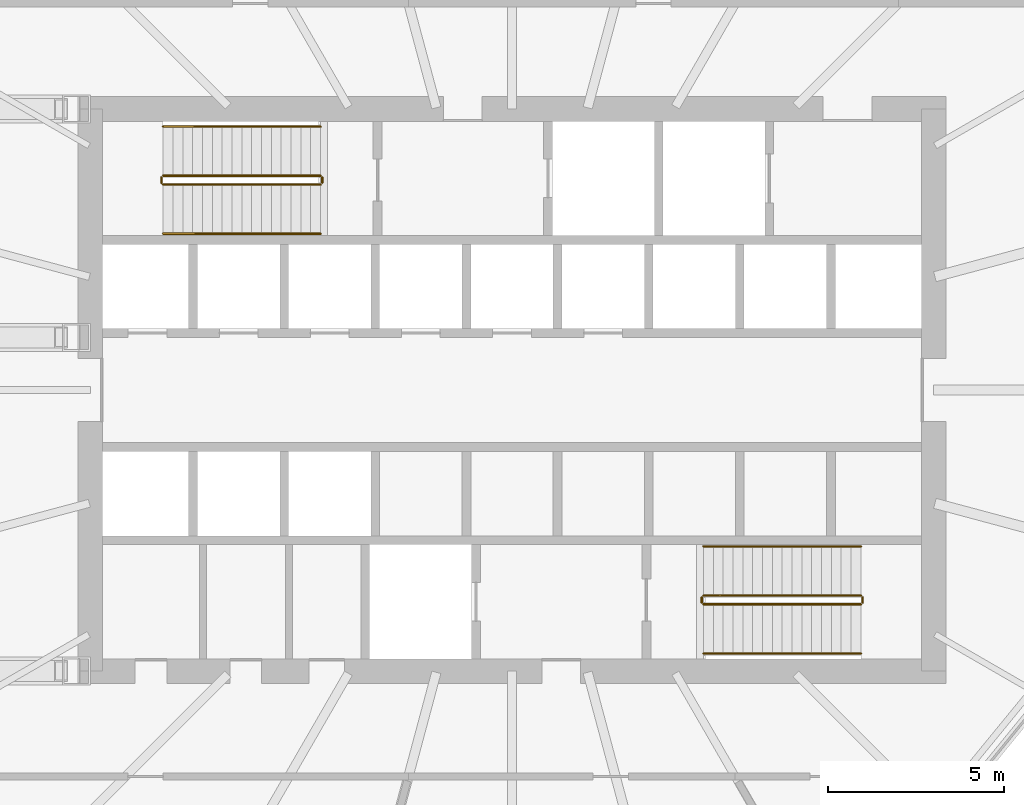
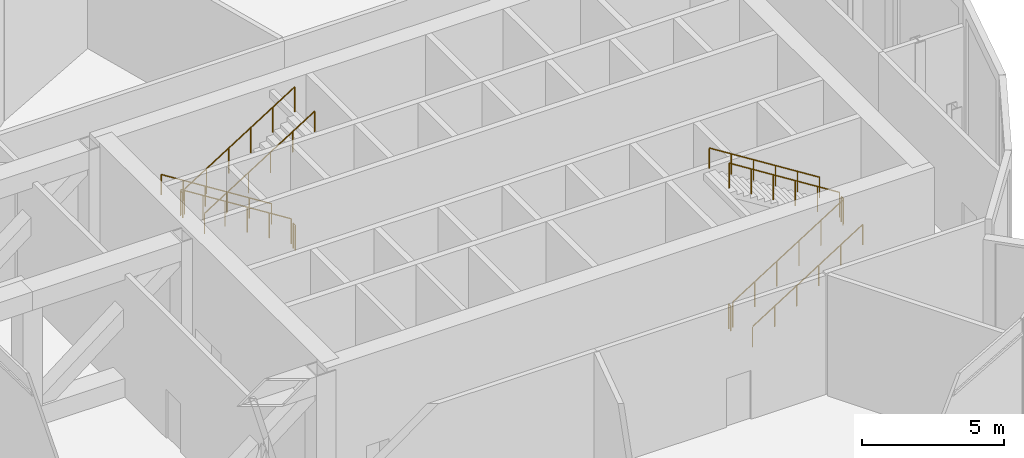
# One storey, part 39 of 39: 12 railings.
"""IFC4 building model written with IfcOpenShell, lengths in metres."""

from ifc_helpers import new_model, si_unit, direction, frame, origin, origin_2d, place, context, subcontext, project, spatial, circle, extrude, material, type_object, element, save


model = new_model("IFC4")

# Units and contexts
model_context = context("Model", 3, precision=1e-05, world=origin(), true_north=direction((0.0, 1.0)))
body_context = subcontext(model_context, "Body", "Model", "MODEL_VIEW")
ifc_project = project(units=[si_unit("LENGTHUNIT", "METRE"), si_unit("AREAUNIT", "SQUARE_METRE"), si_unit("VOLUMEUNIT", "CUBIC_METRE"), si_unit("PLANEANGLEUNIT", "RADIAN"), si_unit("MASSUNIT", "GRAM", prefix="KILO")], contexts=[model_context])

# Site, building, storey
site_placement = place(None, origin())
site = spatial("IfcSite", under=ifc_project, at=site_placement, CompositionType="ELEMENT")
building_placement = place(site_placement, origin())
building = spatial("IfcBuilding", under=site, at=building_placement, Name="Rimbun Link Towers", CompositionType="ELEMENT")
storey_placement = place(building_placement, frame((0.0, 0.0, 127.199951171875)))
storey = spatial("IfcBuildingStorey", under=building, at=storey_placement, Name="L31", CompositionType="ELEMENT", Elevation=127.199951171875)

# Railings
ifc_material_1 = material(Name="Stainless steel grade 316", Category="steel")
railing_type_1 = type_object("IfcRailingType", Name="Stair guard", PredefinedType="GUARDRAIL", material=ifc_material_1)
railing_1_placement = place(storey_placement, frame((26.300048828125, 6.10009765625, 0.176513671875)))
element("IfcRailing", 1, at=railing_1_placement, inside=storey, type_object=railing_type_1, Name="L31 ST3 stair guard 1", PredefinedType="GUARDRAIL", context=body_context, shape_type="SweptSolid", body=[
    extrude(circle(Radius=0.02392578125, at=origin_2d()), frame((0.0, 0.0, 1.076171875), z_axis=(-0.845997938375, 0.0, 0.533186166611), x_axis=(0.0, -1.0, 0.0)), (0.0, 0.0, 1.0), 5.29541015625),
    extrude(circle(Radius=0.02099609375, at=origin_2d()), origin(), (0.0, 0.0, 1.0), 1.052001953125),
    extrude(circle(Radius=0.02099609375, at=origin_2d()), frame((-0.89599609375, 0.0, 0.564697265625)), (0.0, 0.0, 1.0), 1.052001953125),
    extrude(circle(Radius=0.02099609375, at=origin_2d()), frame((-1.7919921875, 0.0, 1.12939453125)), (0.0, 0.0, 1.0), 1.052001953125),
    extrude(circle(Radius=0.02099609375, at=origin_2d()), frame((-2.68798828125, 0.0, 1.694091796875)), (0.0, 0.0, 1.0), 1.052001953125),
    extrude(circle(Radius=0.02099609375, at=origin_2d()), frame((-3.583984375, 0.0, 2.2587890625)), (0.0, 0.0, 1.0), 1.052001953125),
    extrude(circle(Radius=0.02099609375, at=origin_2d()), frame((-4.47998046875, 0.0, 2.823486328125)), (0.0, 0.0, 1.0), 1.052001953125),
])
railing_2_placement = place(storey_placement, frame((21.77001953125, 6.050048828125, 3.0)))
element("IfcRailing", 2, at=railing_2_placement, inside=storey, type_object=railing_type_1, Name="L31 ST3 stair guard 2", PredefinedType="GUARDRAIL", context=body_context, shape_type="SweptSolid", body=[
    extrude(circle(Radius=0.02392578125, at=origin_2d()), frame((0.0, 0.0, 1.076171875), z_axis=(0.0, -1.0, 0.0), x_axis=(1.0, 0.0, 0.0)), (0.0, 0.0, 1.0), 0.150146484375),
    extrude(circle(Radius=0.02099609375, at=origin_2d()), origin(), (0.0, 0.0, 1.0), 1.052001953125),
    extrude(circle(Radius=0.02099609375, at=origin_2d()), frame((0.0, -0.150146484375, 0.0)), (0.0, 0.0, 1.0), 1.052001953125),
])
railing_3_placement = place(storey_placement, frame((21.820068359375, 5.85009765625, 3.176513671875)))
element("IfcRailing", 3, at=railing_3_placement, inside=storey, type_object=railing_type_1, Name="L31 ST3 stair guard 3", PredefinedType="GUARDRAIL", context=body_context, shape_type="SweptSolid", body=[
    extrude(circle(Radius=0.02392578125, at=origin_2d()), frame((0.0, 0.0, 1.076171875), z_axis=(0.845997938375, 0.0, 0.533186166611), x_axis=(0.0, 1.0, 0.0)), (0.0, 0.0, 1.0), 5.29541015625),
    extrude(circle(Radius=0.02099609375, at=origin_2d()), origin(), (0.0, 0.0, 1.0), 1.052001953125),
    extrude(circle(Radius=0.02099609375, at=origin_2d()), frame((0.89599609375, 0.0, 0.564697265625)), (0.0, 0.0, 1.0), 1.052001953125),
    extrude(circle(Radius=0.02099609375, at=origin_2d()), frame((1.7919921875, 0.0, 1.12939453125)), (0.0, 0.0, 1.0), 1.052001953125),
    extrude(circle(Radius=0.02099609375, at=origin_2d()), frame((2.68798828125, 0.0, 1.694091796875)), (0.0, 0.0, 1.0), 1.052001953125),
    extrude(circle(Radius=0.02099609375, at=origin_2d()), frame((3.583984375, 0.0, 2.2587890625)), (0.0, 0.0, 1.0), 1.052001953125),
    extrude(circle(Radius=0.02099609375, at=origin_2d()), frame((4.47998046875, 0.0, 2.823486328125)), (0.0, 0.0, 1.0), 1.052001953125),
])
railing_4_placement = place(storey_placement, frame((26.35009765625, 6.050048828125, 0.0)))
element("IfcRailing", 4, at=railing_4_placement, inside=storey, type_object=railing_type_1, Name="L31 ST3 stair guard 4", PredefinedType="GUARDRAIL", context=body_context, shape_type="SweptSolid", body=[
    extrude(circle(Radius=0.02392578125, at=origin_2d()), frame((0.0, 0.0, 1.076171875), z_axis=(0.0, -1.0, 0.0), x_axis=(1.0, 0.0, 0.0)), (0.0, 0.0, 1.0), 0.150146484375),
    extrude(circle(Radius=0.02099609375, at=origin_2d()), origin(), (0.0, 0.0, 1.0), 1.052001953125),
    extrude(circle(Radius=0.02099609375, at=origin_2d()), frame((0.0, -0.150146484375, 0.0)), (0.0, 0.0, 1.0), 1.052001953125),
])
railing_5_placement = place(storey_placement, frame((37.199951171875, -6.10009765625, 0.176513671875)))
element("IfcRailing", 5, at=railing_5_placement, inside=storey, type_object=railing_type_1, Name="L31 ST4 stair guard 1", PredefinedType="GUARDRAIL", context=body_context, shape_type="SweptSolid", body=[
    extrude(circle(Radius=0.02392578125, at=origin_2d()), frame((0.0, 0.0, 1.076171875), z_axis=(0.845997938375, 0.0, 0.533186166611), x_axis=(0.0, 1.0, 0.0)), (0.0, 0.0, 1.0), 5.29541015625),
    extrude(circle(Radius=0.02099609375, at=origin_2d()), origin(), (0.0, 0.0, 1.0), 1.052001953125),
    extrude(circle(Radius=0.02099609375, at=origin_2d()), frame((0.89599609375, 0.0, 0.564697265625)), (0.0, 0.0, 1.0), 1.052001953125),
    extrude(circle(Radius=0.02099609375, at=origin_2d()), frame((1.7919921875, 0.0, 1.12939453125)), (0.0, 0.0, 1.0), 1.052001953125),
    extrude(circle(Radius=0.02099609375, at=origin_2d()), frame((2.68798828125, 0.0, 1.694091796875)), (0.0, 0.0, 1.0), 1.052001953125),
    extrude(circle(Radius=0.02099609375, at=origin_2d()), frame((3.583984375, 0.0, 2.2587890625)), (0.0, 0.0, 1.0), 1.052001953125),
    extrude(circle(Radius=0.02099609375, at=origin_2d()), frame((4.47998046875, 0.0, 2.823486328125)), (0.0, 0.0, 1.0), 1.052001953125),
])
railing_6_placement = place(storey_placement, frame((41.72998046875, -6.050048828125, 3.0)))
element("IfcRailing", 6, at=railing_6_placement, inside=storey, type_object=railing_type_1, Name="L31 ST4 stair guard 2", PredefinedType="GUARDRAIL", context=body_context, shape_type="SweptSolid", body=[
    extrude(circle(Radius=0.02392578125, at=origin_2d()), frame((0.0, 0.0, 1.076171875), z_axis=(0.0, 1.0, 0.0), x_axis=(-1.0, 0.0, 0.0)), (0.0, 0.0, 1.0), 0.150146484375),
    extrude(circle(Radius=0.02099609375, at=origin_2d()), origin(), (0.0, 0.0, 1.0), 1.052001953125),
    extrude(circle(Radius=0.02099609375, at=origin_2d()), frame((0.0, 0.150146484375, 0.0)), (0.0, 0.0, 1.0), 1.052001953125),
])
railing_7_placement = place(storey_placement, frame((41.679931640625, -5.85009765625, 3.176513671875)))
element("IfcRailing", 7, at=railing_7_placement, inside=storey, type_object=railing_type_1, Name="L31 ST4 stair guard 3", PredefinedType="GUARDRAIL", context=body_context, shape_type="SweptSolid", body=[
    extrude(circle(Radius=0.02392578125, at=origin_2d()), frame((0.0, 0.0, 1.076171875), z_axis=(-0.845997938375, 0.0, 0.533186166611), x_axis=(0.0, -1.0, 0.0)), (0.0, 0.0, 1.0), 5.29541015625),
    extrude(circle(Radius=0.02099609375, at=origin_2d()), origin(), (0.0, 0.0, 1.0), 1.052001953125),
    extrude(circle(Radius=0.02099609375, at=origin_2d()), frame((-0.89599609375, 0.0, 0.564697265625)), (0.0, 0.0, 1.0), 1.052001953125),
    extrude(circle(Radius=0.02099609375, at=origin_2d()), frame((-1.7919921875, 0.0, 1.12939453125)), (0.0, 0.0, 1.0), 1.052001953125),
    extrude(circle(Radius=0.02099609375, at=origin_2d()), frame((-2.68798828125, 0.0, 1.694091796875)), (0.0, 0.0, 1.0), 1.052001953125),
    extrude(circle(Radius=0.02099609375, at=origin_2d()), frame((-3.583984375, 0.0, 2.2587890625)), (0.0, 0.0, 1.0), 1.052001953125),
    extrude(circle(Radius=0.02099609375, at=origin_2d()), frame((-4.47998046875, 0.0, 2.823486328125)), (0.0, 0.0, 1.0), 1.052001953125),
])
railing_8_placement = place(storey_placement, frame((37.14990234375, -6.050048828125, 0.0)))
element("IfcRailing", 8, at=railing_8_placement, inside=storey, type_object=railing_type_1, Name="L31 ST4 stair guard 4", PredefinedType="GUARDRAIL", context=body_context, shape_type="SweptSolid", body=[
    extrude(circle(Radius=0.02392578125, at=origin_2d()), frame((0.0, 0.0, 1.076171875), z_axis=(0.0, 1.0, 0.0), x_axis=(-1.0, 0.0, 0.0)), (0.0, 0.0, 1.0), 0.150146484375),
    extrude(circle(Radius=0.02099609375, at=origin_2d()), origin(), (0.0, 0.0, 1.0), 1.052001953125),
    extrude(circle(Radius=0.02099609375, at=origin_2d()), frame((0.0, 0.150146484375, 0.0)), (0.0, 0.0, 1.0), 1.052001953125),
])
ifc_material_2 = material(Name="Stainless steel grade 316", Category="steel")
railing_type_2 = type_object("IfcRailingType", Name="Stair handrail", PredefinedType="HANDRAIL", material=ifc_material_2)
railing_9_placement = place(storey_placement, frame((26.300048828125, 7.5, 0.176513671875)))
element("IfcRailing", 9, at=railing_9_placement, inside=storey, type_object=railing_type_2, Name="L31 ST3 stair handrail 1", PredefinedType="HANDRAIL", context=body_context, shape_type="SweptSolid", body=[
    extrude(circle(Radius=0.02392578125, at=origin_2d()), frame((0.0, 0.0, 0.8759765625), z_axis=(-0.845997938375, 0.0, 0.533186166611), x_axis=(0.0, -1.0, 0.0)), (0.0, 0.0, 1.0), 5.29541015625),
    extrude(circle(Radius=0.02099609375, at=origin_2d()), origin(), (0.0, 0.0, 1.0), 0.851806640625),
    extrude(circle(Radius=0.02099609375, at=origin_2d()), frame((-0.89599609375, 0.0, 0.564697265625)), (0.0, 0.0, 1.0), 0.851806640625),
    extrude(circle(Radius=0.02099609375, at=origin_2d()), frame((-1.7919921875, 0.0, 1.12939453125)), (0.0, 0.0, 1.0), 0.851806640625),
    extrude(circle(Radius=0.02099609375, at=origin_2d()), frame((-2.68798828125, 0.0, 1.694091796875)), (0.0, 0.0, 1.0), 0.851806640625),
    extrude(circle(Radius=0.02099609375, at=origin_2d()), frame((-3.583984375, 0.0, 2.2587890625)), (0.0, 0.0, 1.0), 0.851806640625),
    extrude(circle(Radius=0.02099609375, at=origin_2d()), frame((-4.47998046875, 0.0, 2.823486328125)), (0.0, 0.0, 1.0), 0.851806640625),
])
for number, where, name in (
    (10, (21.820068359375, 4.449951171875, 3.176513671875), "L31 ST3 stair handrail 2"),
    (11, (37.199951171875, -7.5, 0.176513671875), "L31 ST4 stair handrail 1"),
):
    element("IfcRailing", number, at=place(storey_placement, frame(where)), inside=storey, type_object=railing_type_2, Name=name, PredefinedType="HANDRAIL", context=body_context, shape_type="SweptSolid", body=[
        extrude(circle(Radius=0.02392578125, at=origin_2d()), frame((0.0, 0.0, 0.8759765625), z_axis=(0.845997938375, 0.0, 0.533186166611), x_axis=(0.0, 1.0, 0.0)), (0.0, 0.0, 1.0), 5.29541015625),
        extrude(circle(Radius=0.02099609375, at=origin_2d()), origin(), (0.0, 0.0, 1.0), 0.851806640625),
        extrude(circle(Radius=0.02099609375, at=origin_2d()), frame((0.89599609375, 0.0, 0.564697265625)), (0.0, 0.0, 1.0), 0.851806640625),
        extrude(circle(Radius=0.02099609375, at=origin_2d()), frame((1.7919921875, 0.0, 1.12939453125)), (0.0, 0.0, 1.0), 0.851806640625),
        extrude(circle(Radius=0.02099609375, at=origin_2d()), frame((2.68798828125, 0.0, 1.694091796875)), (0.0, 0.0, 1.0), 0.851806640625),
        extrude(circle(Radius=0.02099609375, at=origin_2d()), frame((3.583984375, 0.0, 2.2587890625)), (0.0, 0.0, 1.0), 0.851806640625),
        extrude(circle(Radius=0.02099609375, at=origin_2d()), frame((4.47998046875, 0.0, 2.823486328125)), (0.0, 0.0, 1.0), 0.851806640625),
    ])
railing_10_placement = place(storey_placement, frame((41.679931640625, -4.449951171875, 3.176513671875)))
element("IfcRailing", 12, at=railing_10_placement, inside=storey, type_object=railing_type_2, Name="L31 ST4 stair handrail 2", PredefinedType="HANDRAIL", context=body_context, shape_type="SweptSolid", body=[
    extrude(circle(Radius=0.02392578125, at=origin_2d()), frame((0.0, 0.0, 0.8759765625), z_axis=(-0.845997938375, 0.0, 0.533186166611), x_axis=(0.0, -1.0, 0.0)), (0.0, 0.0, 1.0), 5.29541015625),
    extrude(circle(Radius=0.02099609375, at=origin_2d()), origin(), (0.0, 0.0, 1.0), 0.851806640625),
    extrude(circle(Radius=0.02099609375, at=origin_2d()), frame((-0.89599609375, 0.0, 0.564697265625)), (0.0, 0.0, 1.0), 0.851806640625),
    extrude(circle(Radius=0.02099609375, at=origin_2d()), frame((-1.7919921875, 0.0, 1.12939453125)), (0.0, 0.0, 1.0), 0.851806640625),
    extrude(circle(Radius=0.02099609375, at=origin_2d()), frame((-2.68798828125, 0.0, 1.694091796875)), (0.0, 0.0, 1.0), 0.851806640625),
    extrude(circle(Radius=0.02099609375, at=origin_2d()), frame((-3.583984375, 0.0, 2.2587890625)), (0.0, 0.0, 1.0), 0.851806640625),
    extrude(circle(Radius=0.02099609375, at=origin_2d()), frame((-4.47998046875, 0.0, 2.823486328125)), (0.0, 0.0, 1.0), 0.851806640625),
])

save(model, "model.ifc")
